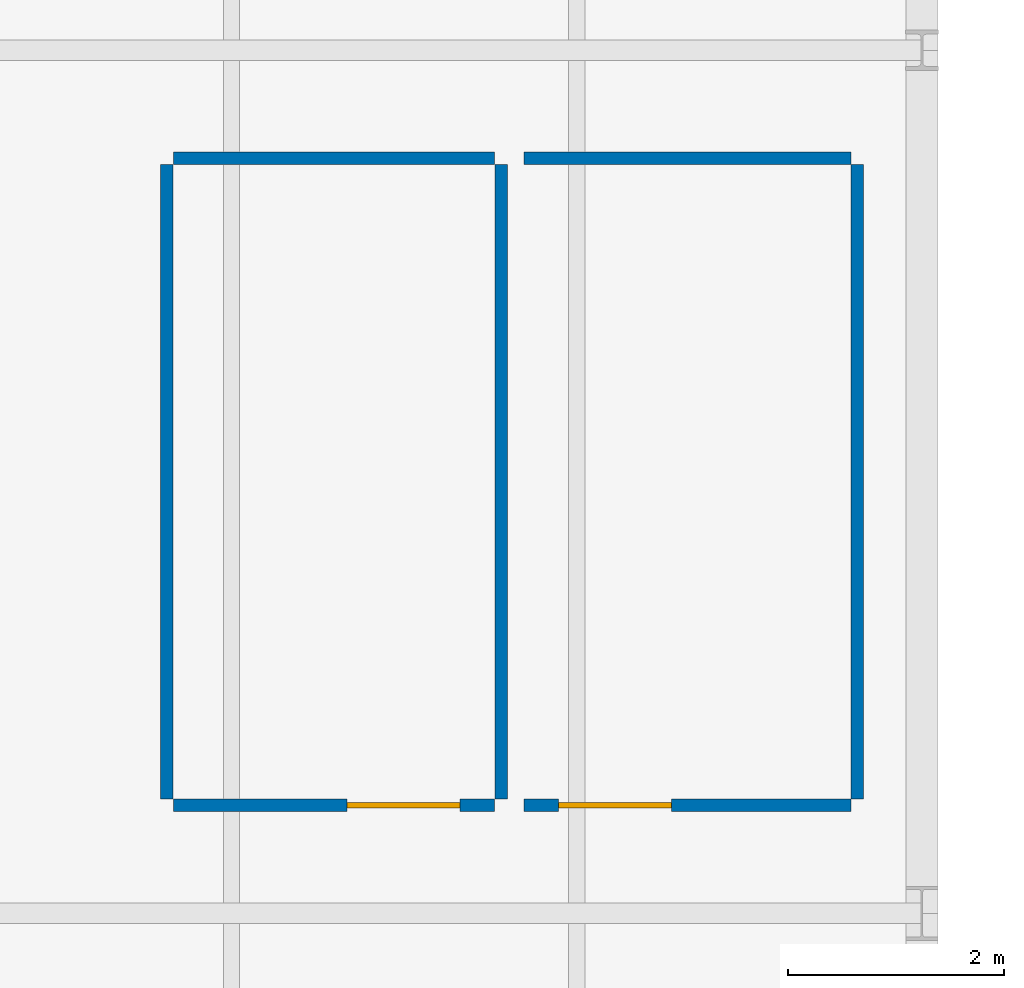
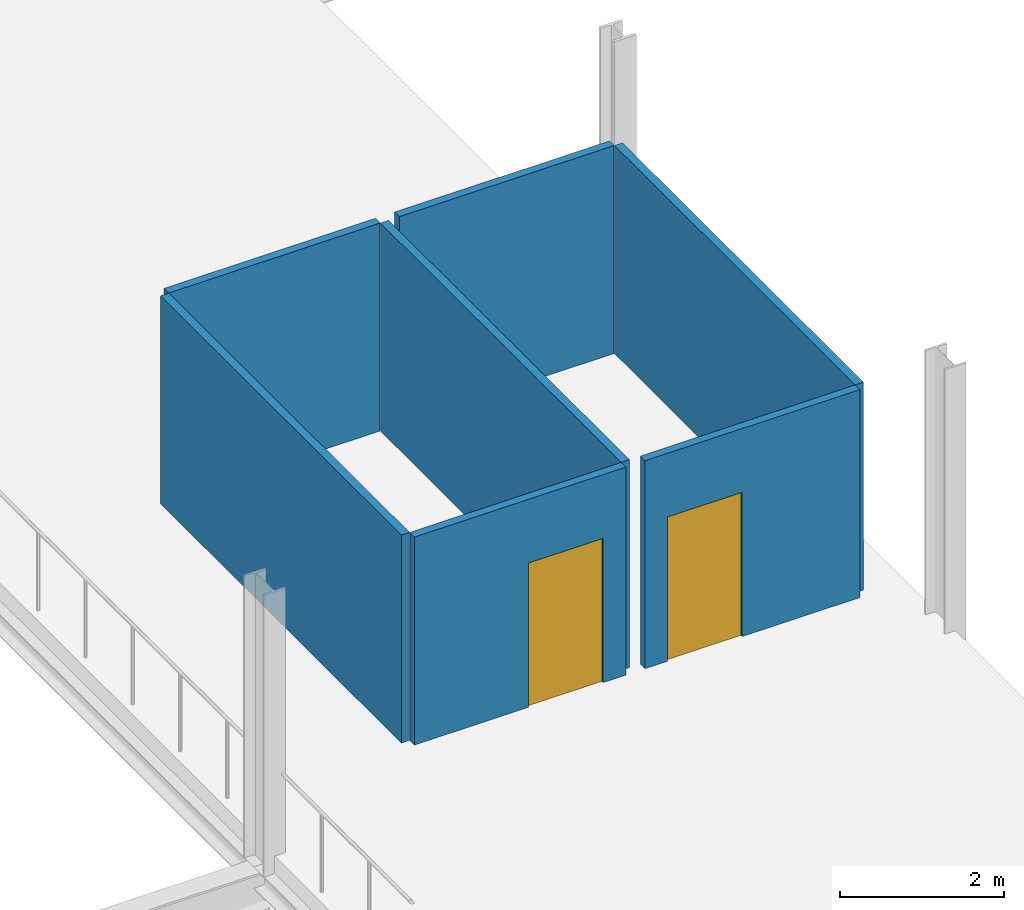
# One storey, part 61 of 78: 7 walls, 2 doors, 2 openings.
"""IFC4 building model written with IfcOpenShell, lengths in metres."""

import ifcopenshell
import ifcopenshell.guid

model = None  # the IFC model being written
_history = None  # IfcOwnerHistory: only IFC2X3 demands one
_inside = {}  # id of a spatial element -> (the spatial element, [elements in it])
_under = {}  # id of a project, library or spatial element -> (it, [spatial elements below it])
_declared = {}  # id of a project -> (the project, [libraries it declares])
_typed = {}  # id of a type object -> (the type object, [elements of that type])
_made_of = {}  # id of a material, layer set ... -> (it, [elements and type objects made of it])


def new_model(schema):
    """Start an empty IFC model of exactly this schema.

    Asked for "IFC4X3", IfcOpenShell would pick the latest addendum, in which some entities
    have other attributes; the version numbers below select the first issue.
    IFC2X3 requires an IfcOwnerHistory on every rooted entity: one is made here for all.
    """
    global model, _history
    if schema == "IFC4X3":
        model = ifcopenshell.file(schema_version=(4, 3, 0, 0))
    else:
        model = ifcopenshell.file(schema=schema)
    _inside.clear()
    _under.clear()
    _declared.clear()
    _typed.clear()
    _made_of.clear()
    _history = None
    if model.schema == "IFC2X3":
        org = make("IfcOrganization", Name="unknown")
        user = make(
            "IfcPersonAndOrganization",
            ThePerson=make("IfcPerson", FamilyName="unknown"),
            TheOrganization=org,
        )
        app = make(
            "IfcApplication",
            ApplicationDeveloper=org,
            Version="unknown",
            ApplicationFullName="unknown",
            ApplicationIdentifier="unknown",
        )
        _history = make(
            "IfcOwnerHistory",
            OwningUser=user,
            OwningApplication=app,
            ChangeAction="ADDED",
            CreationDate=0,
        )
    return model


def make(cls, **values):
    """One entity of the class cls with the attributes given. An attribute that is None is left unset."""
    return model.create_entity(
        cls, **{name: value for name, value in values.items() if value is not None}
    )


def rooted(cls, **values):
    """An entity with a GlobalId (a new one), such as an element, a storey or a relation."""
    return make(cls, GlobalId=ifcopenshell.guid.new(), OwnerHistory=_history, **values)


def si_unit(unit_type, name, prefix=None):
    """IfcSIUnit, for example si_unit("LENGTHUNIT", "METRE", prefix="MILLI")."""
    return make("IfcSIUnit", UnitType=unit_type, Prefix=prefix, Name=name)


def assignment(units):
    """IfcUnitAssignment: the units of a project."""
    return None if units is None else make("IfcUnitAssignment", Units=units)


def point(xyz):
    """IfcCartesianPoint."""
    return None if xyz is None else make("IfcCartesianPoint", Coordinates=xyz)


def direction(xyz):
    """IfcDirection."""
    return None if xyz is None else make("IfcDirection", DirectionRatios=xyz)


def frame(location, z_axis=None, x_axis=None):
    """IfcAxis2Placement3D, a coordinate frame: its origin and axes. An axis left out is left unset."""
    return make(
        "IfcAxis2Placement3D",
        Location=point(location),
        Axis=direction(z_axis),
        RefDirection=direction(x_axis),
    )


def frame_2d(location, x_axis=None):
    """IfcAxis2Placement2D, a coordinate frame in the plane: its origin and x axis."""
    return make(
        "IfcAxis2Placement2D", Location=point(location), RefDirection=direction(x_axis)
    )


def origin():
    """The frame at (0, 0, 0) with its axes left unset."""
    return frame((0.0, 0.0, 0.0))


def place(relative_to, where):
    """IfcLocalPlacement: puts the frame where relative to a parent placement (None: the world)."""
    return make(
        "IfcLocalPlacement", PlacementRelTo=relative_to, RelativePlacement=where
    )


def context(
    kind, dimensions, precision=None, world=None, true_north=None, identifier=None
):
    """IfcGeometricRepresentationContext, for example the 3D "Model" context."""
    return make(
        "IfcGeometricRepresentationContext",
        ContextIdentifier=identifier,
        ContextType=kind,
        CoordinateSpaceDimension=dimensions,
        Precision=precision,
        WorldCoordinateSystem=world,
        TrueNorth=true_north,
    )


def subcontext(parent, identifier, kind, view, scale=None):
    """IfcGeometricRepresentationSubContext, for example "Body" below "Model"."""
    return make(
        "IfcGeometricRepresentationSubContext",
        ContextIdentifier=identifier,
        ContextType=kind,
        ParentContext=parent,
        TargetScale=scale,
        TargetView=view,
    )


def project(units=None, contexts=None):
    """IfcProject with its units and contexts."""
    return rooted(
        "IfcProject",
        Name="project",
        RepresentationContexts=contexts,
        UnitsInContext=assignment(units),
    )


def spatial(cls, under=None, at=None, **own):
    """A site, building, storey or space (cls), placed at a placement, below another one or the project."""
    s = rooted(cls, ObjectPlacement=at, **own)
    if under is not None:
        _under.setdefault(under.id(), (under, []))[1].append(s)
    return s


def profile(cls, at=None, kind="AREA", **sizes):
    """A parametric profile (cls). Its sizes go by their IFC names, for example OverallWidth=200.0."""
    return make(cls, ProfileType=kind, Position=at, **sizes)


def rectangle(**sizes):
    """IfcRectangleProfileDef."""
    return profile("IfcRectangleProfileDef", **sizes)


def extrude(swept, where, along, depth):
    """IfcExtrudedAreaSolid: the profile swept, set in the frame where, extruded along a direction by depth."""
    return make(
        "IfcExtrudedAreaSolid",
        SweptArea=swept,
        Position=where,
        ExtrudedDirection=direction(along),
        Depth=depth,
    )


def shape(context_of_items, identifier, shape_type, items):
    """IfcShapeRepresentation: the items that make up one representation, for example the "Body"."""
    return make(
        "IfcShapeRepresentation",
        ContextOfItems=context_of_items,
        RepresentationIdentifier=identifier,
        RepresentationType=shape_type,
        Items=items,
    )


def material(Name=None, Category=None):
    """IfcMaterial."""
    return make("IfcMaterial", Name=Name, Category=Category)


def layer(
    of_material, thickness, ventilated=None, Name=None, Category=None, Priority=None
):
    """IfcMaterialLayer: one layer of a wall or slab, of a material (None: an air gap)."""
    return make(
        "IfcMaterialLayer",
        Material=of_material,
        LayerThickness=thickness,
        IsVentilated=ventilated,
        Name=Name,
        Category=Category,
        Priority=Priority,
    )


def layer_set(layers, Name=None):
    """IfcMaterialLayerSet."""
    return make("IfcMaterialLayerSet", MaterialLayers=layers, LayerSetName=Name)


def made_of(thing, what):
    """Note that an element or type object is made of a material, layer set ...; save() writes the relation."""
    if what is not None:
        _made_of.setdefault(what.id(), (what, []))[1].append(thing)
    return thing


def type_object(cls, material=None, **own):
    """A type object (cls), such as IfcWallType, which elements share."""
    return made_of(rooted(cls, **own), material)


def element(
    cls,
    number,
    at=None,
    inside=None,
    cuts=None,
    type_object=None,
    material=None,
    context=None,
    identifier="Body",
    shape_type=None,
    held_by="IfcProductDefinitionShape",
    body=None,
    shapes=None,
    **own,
):
    """One element of the class cls, such as IfcWall. Its Tag is "e" and its number.

    at: its placement. inside: the storey or other place that contains it. cuts: it is an
    opening in that element (IfcRelVoidsElement). A single representation is given by context,
    identifier, shape_type and body (its items); several are given by shapes. held_by: the class
    of the entity that holds the representations. save() writes the other relations.
    """
    e = rooted(cls, Tag="e%d" % number, ObjectPlacement=at, **own)
    if body is not None:
        shapes = [shape(context, identifier, shape_type, body)]
    if shapes is not None:
        e.Representation = make(held_by, Representations=shapes)
    if inside is not None:
        _inside.setdefault(inside.id(), (inside, []))[1].append(e)
    if cuts is not None:
        rooted(
            "IfcRelVoidsElement", RelatingBuildingElement=cuts, RelatedOpeningElement=e
        )
    if type_object is not None:
        _typed.setdefault(type_object.id(), (type_object, []))[1].append(e)
    return made_of(e, material)


def fill(opening, filler):
    """IfcRelFillsElement: the door or window that sits in an opening."""
    return rooted(
        "IfcRelFillsElement",
        RelatingOpeningElement=opening,
        RelatedBuildingElement=filler,
    )


def aggregate(whole, parts):
    """IfcRelAggregates: a whole, such as a stair, and the parts it consists of."""
    return rooted("IfcRelAggregates", RelatingObject=whole, RelatedObjects=parts)


def save(model, path):
    """Write the relations noted so far, then the file.

    IfcRelAggregates (storeys below a building ...), IfcRelContainedInSpatialStructure (elements
    in a storey), IfcRelDefinesByType, IfcRelAssociatesMaterial and IfcRelDeclares: one each for
    every whole, place, type object, material and project.
    """
    for whole, parts in _under.values():
        aggregate(whole, parts)
    for where, things in _inside.values():
        rooted(
            "IfcRelContainedInSpatialStructure",
            RelatedElements=things,
            RelatingStructure=where,
        )
    for kind, things in _typed.values():
        rooted("IfcRelDefinesByType", RelatedObjects=things, RelatingType=kind)
    for what, things in _made_of.values():
        rooted("IfcRelAssociatesMaterial", RelatedObjects=things, RelatingMaterial=what)
    for by, libraries in _declared.values():
        rooted("IfcRelDeclares", RelatingContext=by, RelatedDefinitions=libraries)
    model.write(path)


model = new_model("IFC4")

# Units and contexts
model_context = context("Model", 3, precision=1e-05, world=origin(), true_north=direction((0.0, 1.0)))
body_context = subcontext(model_context, "Body", "Model", "MODEL_VIEW")
ifc_project = project(units=[si_unit("LENGTHUNIT", "METRE"), si_unit("AREAUNIT", "SQUARE_METRE"), si_unit("VOLUMEUNIT", "CUBIC_METRE"), si_unit("PLANEANGLEUNIT", "RADIAN"), si_unit("MASSUNIT", "GRAM", prefix="KILO")], contexts=[model_context])

# Site, building, storey
site_placement = place(None, origin())
site = spatial("IfcSite", under=ifc_project, at=site_placement, CompositionType="ELEMENT")
building_placement = place(site_placement, origin())
building = spatial("IfcBuilding", under=site, at=building_placement, Name="Alderhovde Museum", CompositionType="ELEMENT")
storey_placement = place(building_placement, frame((0.0, 0.0, 4.5)))
storey = spatial("IfcBuildingStorey", under=building, at=storey_placement, Name="L01", CompositionType="ELEMENT", Elevation=4.5)

# Wall
ifc_material_1 = material(Name="Moisture-Resistant Sanitary Partition")
ifc_layer = layer(ifc_material_1, 0.114990234375)
ifc_layer_set = layer_set([ifc_layer], Name="Moisture-Resistant Sanitary Partition")
wall_type = type_object("IfcWallType", Name="IW-WC-115", PredefinedType="PARTITIONING", material=ifc_layer_set)
wall_1_placement = place(storey_placement, frame((108.260009765625, 63.0, 0.0), z_axis=(0.0, 0.0, 1.0), x_axis=(1.0, 0.0, 0.0)))
element("IfcWall", 1, at=wall_1_placement, inside=storey, type_object=wall_type, Name="L01 Public WC Partition Wall N", PredefinedType="PARTITIONING", context=body_context, shape_type="SweptSolid", body=[
    extrude(rectangle(XDim=2.97998046875, YDim=0.114990234375, at=frame_2d((1.489990234375, 0.0))), origin(), (0.0, 0.0, 1.0), 3.10009765625),
])

# Wall, opening, door
wall_2_placement = place(storey_placement, frame((108.260009765625, 57.0, 0.0), z_axis=(0.0, 0.0, 1.0), x_axis=(1.0, 0.0, 0.0)))
wall_2 = element("IfcWall", 2, at=wall_2_placement, inside=storey, type_object=wall_type, Name="L01 Public WC Partition Wall S", PredefinedType="PARTITIONING", context=body_context, shape_type="SweptSolid", body=[
    extrude(rectangle(XDim=2.97998046875, YDim=0.114990234375, at=frame_2d((1.489990234375, 0.0))), origin(), (0.0, 0.0, 1.0), 3.10009765625),
])
opening_1_placement = place(wall_2_placement, frame((1.610107421875, 0.0, 0.0)))
opening_1 = element("IfcOpeningElement", 3, at=opening_1_placement, cuts=wall_2, Name="Opening D09", PredefinedType="OPENING", context=body_context, shape_type="SweptSolid", body=[
    extrude(rectangle(XDim=1.050048828125, YDim=2.14990234375, at=frame_2d((0.52490234375, 1.074951171875))), frame((0.0, 0.0673828125, 0.0), z_axis=(0.0, -1.0, 0.0), x_axis=(1.0, 0.0, 0.0)), (0.0, 0.0, 1.0), 0.135009765625),
])
ifc_material_2 = material(Name="Accessible Sanitary Room Door (Steel/Oak)", Category="steel")
door_type = type_object("IfcDoorType", Name="ID-WC-1050x2150", OperationType="NOTDEFINED", PredefinedType="DOOR", material=ifc_material_2)
door_1_placement = place(opening_1_placement, origin())
door_1 = element("IfcDoor", 4, at=door_1_placement, inside=storey, type_object=door_type, Name="L01 Public WC Door", OperationType="SINGLE_SWING_RIGHT", OverallHeight=2.14990234375, OverallWidth=1.050048828125, PredefinedType="DOOR", context=body_context, shape_type="SweptSolid", body=[
    extrude(rectangle(XDim=1.050048828125, YDim=2.14990234375, at=frame_2d((0.52490234375, 1.074951171875))), frame((0.0, 0.02490234375, 0.0), z_axis=(0.0, -1.0, 0.0), x_axis=(1.0, 0.0, 0.0)), (0.0, 0.0, 1.0), 0.050048828125),
])
fill(opening_1, door_1)

# Walls
for number, where, z_axis, x_axis, name in (
    (5, (108.199951171875, 57.06005859375, 0.0), (0.0, 0.0, 1.0), (0.0, 1.0, 0.0), "L01 Public WC Partition Wall W"),
    (6, (111.300048828125, 57.06005859375, 0.0), (0.0, 0.0, 1.0), (0.0, 1.0, 0.0), "L01 Public WC Partition Wall E"),
):
    element("IfcWall", number, at=place(storey_placement, frame(where, z_axis=z_axis, x_axis=x_axis)), inside=storey, type_object=wall_type, Name=name, PredefinedType="PARTITIONING", context=body_context, shape_type="SweptSolid", body=[
        extrude(rectangle(XDim=5.8798828125, YDim=0.114990234375, at=frame_2d((2.93994140625, 0.0))), origin(), (0.0, 0.0, 1.0), 3.10009765625),
    ])
wall_3_placement = place(storey_placement, frame((111.510009765625, 63.0, 0.0), z_axis=(0.0, 0.0, 1.0), x_axis=(1.0, 0.0, 0.0)))
element("IfcWall", 7, at=wall_3_placement, inside=storey, type_object=wall_type, Name="L01 Accessible WC Partition Wall N", PredefinedType="PARTITIONING", context=body_context, shape_type="SweptSolid", body=[
    extrude(rectangle(XDim=3.030029296875, YDim=0.114990234375, at=frame_2d((1.51513671875, 0.0))), origin(), (0.0, 0.0, 1.0), 3.10009765625),
])

# Wall, opening, door
wall_4_placement = place(storey_placement, frame((111.510009765625, 57.0, 0.0), z_axis=(0.0, 0.0, 1.0), x_axis=(1.0, 0.0, 0.0)))
wall_4 = element("IfcWall", 8, at=wall_4_placement, inside=storey, type_object=wall_type, Name="L01 Accessible WC Partition Wall S", PredefinedType="PARTITIONING", context=body_context, shape_type="SweptSolid", body=[
    extrude(rectangle(XDim=3.030029296875, YDim=0.114990234375, at=frame_2d((1.51513671875, 0.0))), origin(), (0.0, 0.0, 1.0), 3.10009765625),
])
opening_2_placement = place(wall_4_placement, frame((0.320068359375, 0.0, 0.0)))
opening_2 = element("IfcOpeningElement", 9, at=opening_2_placement, cuts=wall_4, Name="Opening D09", PredefinedType="OPENING", context=body_context, shape_type="SweptSolid", body=[
    extrude(rectangle(XDim=1.050048828125, YDim=2.14990234375, at=frame_2d((0.52490234375, 1.074951171875))), frame((0.0, 0.0673828125, 0.0), z_axis=(0.0, -1.0, 0.0), x_axis=(1.0, 0.0, 0.0)), (0.0, 0.0, 1.0), 0.135009765625),
])
door_2_placement = place(opening_2_placement, origin())
door_2 = element("IfcDoor", 10, at=door_2_placement, inside=storey, type_object=door_type, Name="L01 Accessible WC Door", OperationType="SINGLE_SWING_LEFT", OverallHeight=2.14990234375, OverallWidth=1.050048828125, PredefinedType="DOOR", context=body_context, shape_type="SweptSolid", body=[
    extrude(rectangle(XDim=1.050048828125, YDim=2.14990234375, at=frame_2d((0.52490234375, 1.074951171875))), frame((0.0, 0.02490234375, 0.0), z_axis=(0.0, -1.0, 0.0), x_axis=(1.0, 0.0, 0.0)), (0.0, 0.0, 1.0), 0.050048828125),
])
fill(opening_2, door_2)

# Wall
wall_5_placement = place(storey_placement, frame((114.60009765625, 57.06005859375, 0.0), z_axis=(0.0, 0.0, 1.0), x_axis=(0.0, 1.0, 0.0)))
element("IfcWall", 11, at=wall_5_placement, inside=storey, type_object=wall_type, Name="L01 Accessible WC Partition Wall E", PredefinedType="PARTITIONING", context=body_context, shape_type="SweptSolid", body=[
    extrude(rectangle(XDim=5.8798828125, YDim=0.114990234375, at=frame_2d((2.93994140625, 0.0))), origin(), (0.0, 0.0, 1.0), 3.10009765625),
])

save(model, "model.ifc")
